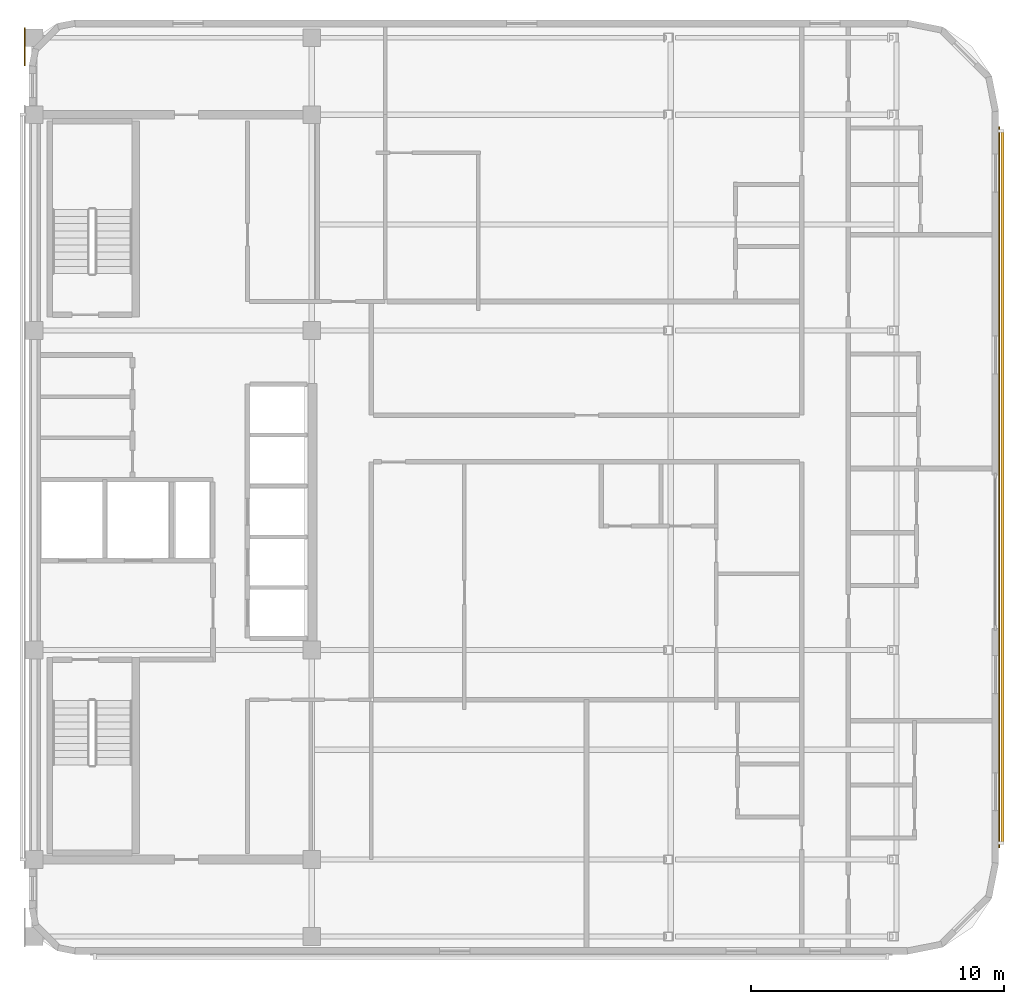
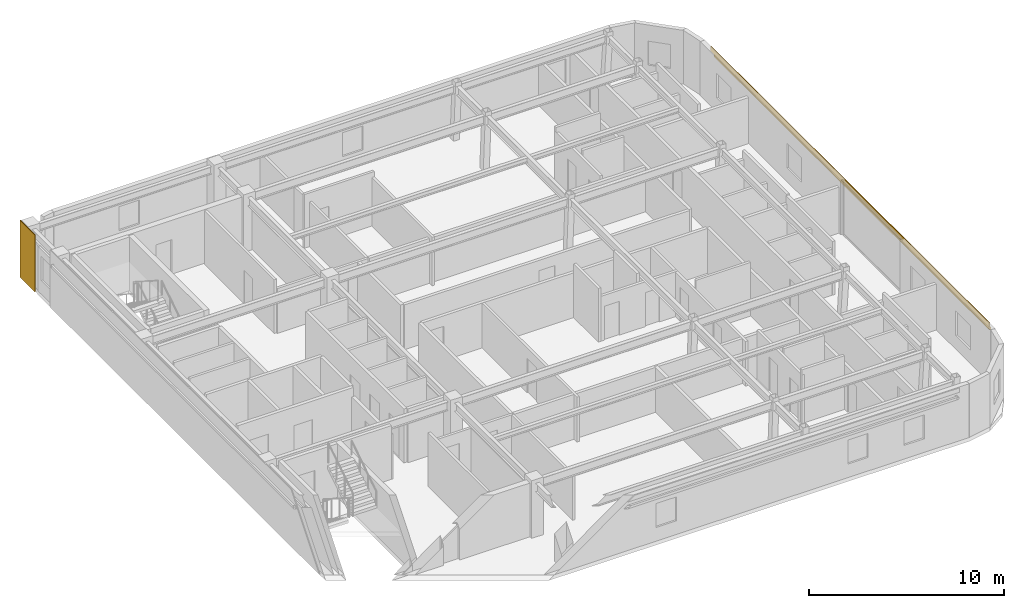
# One storey, part 10 of 10: 2 coverings, 1 shading device.
"""IFC4 building model written with IfcOpenShell, lengths in metres."""

from ifc_helpers import new_model, si_unit, direction, frame, origin, origin_2d, place, context, subcontext, project, spatial, rectangle, extrude, material, layer, layer_set, material_profile, profile_set, type_object, element, save


model = new_model("IFC4")

# Units and contexts
model_context = context("Model", 3, precision=1e-05, world=origin(), true_north=direction((0.0, 1.0)))
body_context = subcontext(model_context, "Body", "Model", "MODEL_VIEW")
ifc_project = project(units=[si_unit("LENGTHUNIT", "METRE"), si_unit("AREAUNIT", "SQUARE_METRE"), si_unit("VOLUMEUNIT", "CUBIC_METRE"), si_unit("PLANEANGLEUNIT", "RADIAN"), si_unit("MASSUNIT", "GRAM", prefix="KILO")], contexts=[model_context])

# Site, building, storey
site_placement = place(None, origin())
site = spatial("IfcSite", under=ifc_project, at=site_placement, CompositionType="ELEMENT")
building_placement = place(site_placement, origin())
building = spatial("IfcBuilding", under=site, at=building_placement, Name="Ochreholt Gables", CompositionType="ELEMENT")
storey_placement = place(building_placement, frame((0.0, 0.0, 267.60009765625)))
storey = spatial("IfcBuildingStorey", under=building, at=storey_placement, Name="L70", CompositionType="ELEMENT", Elevation=267.60009765625)

# Coverings
ifc_material_1 = material(Name="Glazed Ochre Terracotta Rainscreen Cladding", Category="masonry")
ifc_layer = layer(ifc_material_1, 0.044921875, Name="Glazed Ochre Terracotta Rainscreen Cladding")
ifc_layer_set = layer_set([ifc_layer], Name="Glazed Ochre Terracotta Rainscreen Cladding")
covering_type = type_object("IfcCoveringType", Name="COV-CLAD-TC", PredefinedType="CLADDING", material=ifc_layer_set)
covering_1_placement = place(storey_placement, frame((62.419921875, 24.0, 3.06005859375), z_axis=(0.0, 0.0, 1.0), x_axis=(0.0, 1.0, 0.0)))
element("IfcCovering", 1, at=covering_1_placement, inside=storey, type_object=covering_type, Name="L70 Terracotta Spandrel Cladding East", PredefinedType="CLADDING", context=body_context, shape_type="SweptSolid", body=[
    extrude(rectangle(XDim=28.56005859375, YDim=0.044921875, at=origin_2d()), origin(), (0.0, 0.0, 1.0), 0.280029296875),
])
covering_2_placement = place(storey_placement, frame((23.827880859375, 41.43994140625, 0.009765625), z_axis=(0.0, 0.0, 1.0), x_axis=(0.0, 1.0, 0.0)))
element("IfcCovering", 2, at=covering_2_placement, inside=storey, type_object=covering_type, Name="L70 North-West Pier Terracotta Cladding", PredefinedType="CLADDING", context=body_context, shape_type="SweptSolid", body=[
    extrude(rectangle(XDim=1.52001953125, YDim=0.044921875, at=origin_2d()), origin(), (0.0, 0.0, 1.0), 3.580078125),
])

# Shading device
ifc_material_2 = material(Name="Warm Ochre Glazed Terracotta Baguette", Category="masonry")
ifc_material_profile = material_profile(ifc_material_2, rectangle(XDim=0.110107421875, YDim=0.14990234375, at=origin_2d()), Name="TCBAG110X150")
ifc_profile_set = profile_set([ifc_material_profile], Name="Warm Ochre Glazed Terracotta Baguette")
shading_device_type = type_object("IfcShadingDeviceType", Name="SHD-BAGUETTE", PredefinedType="USERDEFINED", material=ifc_profile_set)
shading_device_placement = place(storey_placement, frame((62.550048828125, 9.89990234375, 2.83984375), z_axis=(0.0, 1.0, 0.0), x_axis=(-1.0, 0.0, 0.0)))
element("IfcShadingDevice", 3, at=shading_device_placement, inside=storey, type_object=shading_device_type, Name="L70 Terracotta Baguette Screen E-1", ObjectType="BAGUETTE", PredefinedType="USERDEFINED", context=body_context, shape_type="SweptSolid", body=[
    extrude(rectangle(XDim=0.110107421875, YDim=0.14990234375, at=origin_2d()), origin(), (0.0, 0.0, 1.0), 28.2001953125),
])

save(model, "model.ifc")
